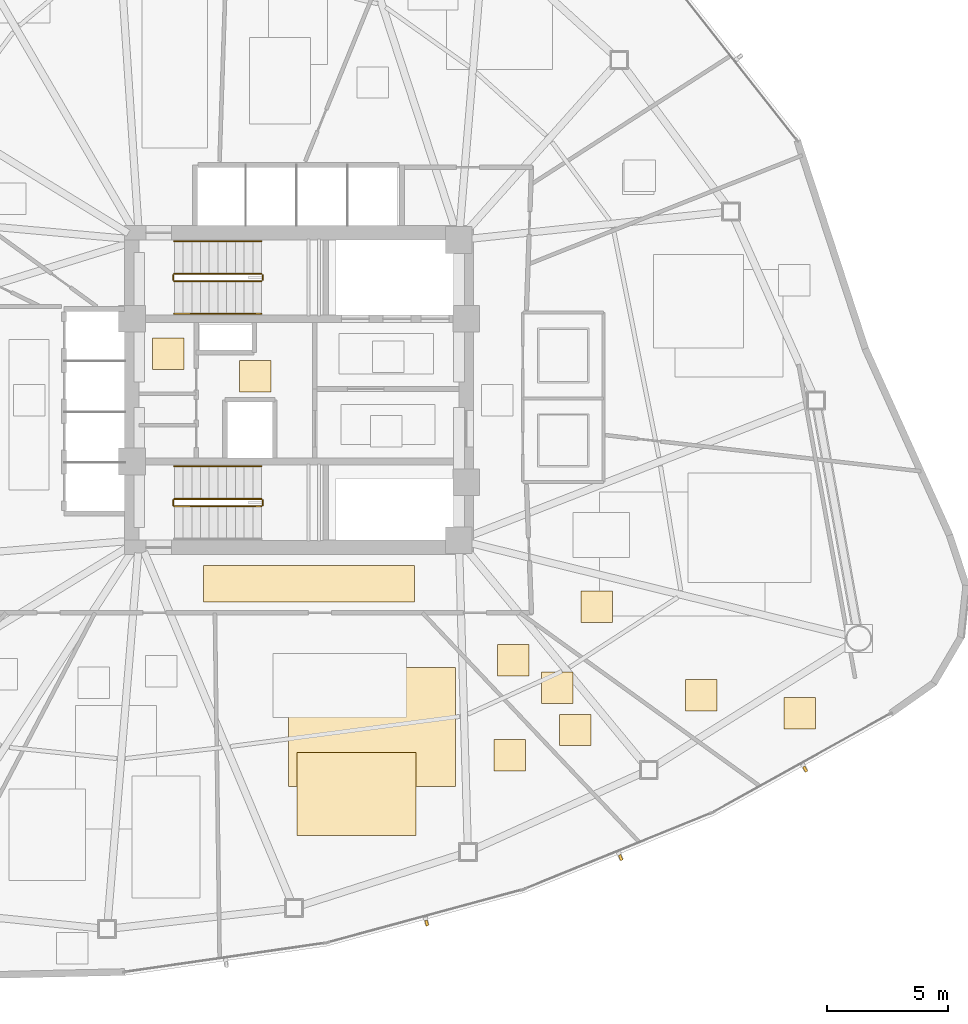
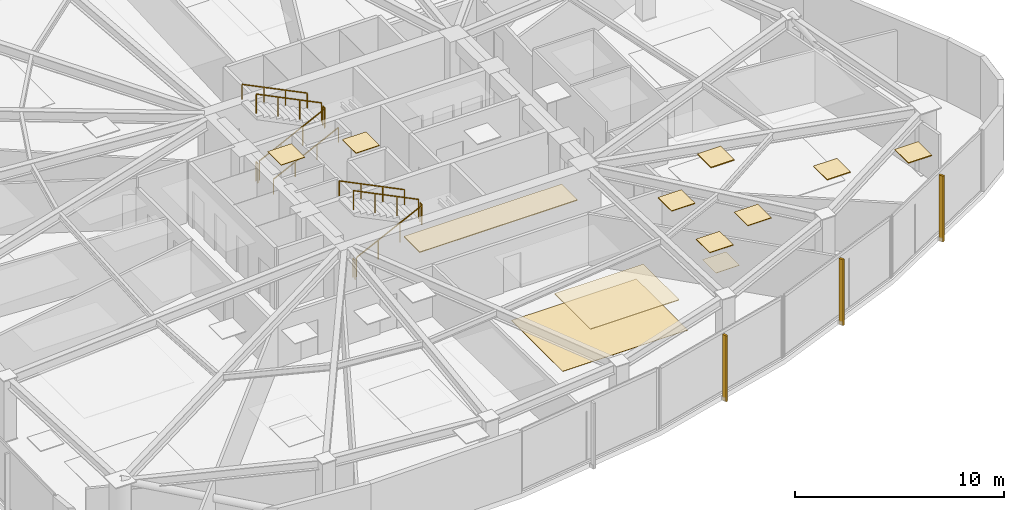
# One storey, part 15 of 17: 12 coverings, 11 railings, 3 shading devices.
"""IFC4 building model written with IfcOpenShell, lengths in metres."""

from ifc_helpers import new_model, si_unit, direction, frame, origin, origin_2d, place, context, subcontext, project, spatial, polyline, rectangle, outline, extrude, source, transform, mapped, material, layer, layer_set, type_object, type_shapes, element, save


model = new_model("IFC4")

# Units and contexts
model_context = context("Model", 3, precision=1e-05, world=origin(), true_north=direction((0.0, 1.0)))
body_context = subcontext(model_context, "Body", "Model", "MODEL_VIEW")
ifc_project = project(units=[si_unit("LENGTHUNIT", "METRE"), si_unit("AREAUNIT", "SQUARE_METRE"), si_unit("VOLUMEUNIT", "CUBIC_METRE"), si_unit("PLANEANGLEUNIT", "RADIAN"), si_unit("MASSUNIT", "GRAM", prefix="KILO")], contexts=[model_context])

# Site, building, storey
site_placement = place(None, origin())
site = spatial("IfcSite", under=ifc_project, at=site_placement, CompositionType="ELEMENT")
building_placement = place(site_placement, origin())
building = spatial("IfcBuilding", under=site, at=building_placement, Name="Tavelor Broadcast Tower", CompositionType="ELEMENT")
storey_placement = place(building_placement, frame((0.0, 0.0, 74.39990234375)))
storey = spatial("IfcBuildingStorey", under=building, at=storey_placement, Name="L17", CompositionType="ELEMENT", Elevation=74.39990234375)

# Covering
ifc_material_1 = material(Name="Copper-Bronze Anodized Aluminium", Category="aluminium")
ifc_layer_1 = layer(ifc_material_1, 0.044921875)
ifc_layer_set_1 = layer_set([ifc_layer_1], Name="Copper-Bronze Anodized Aluminium")
covering_type_1 = type_object("IfcCoveringType", Name="Anodised Bronze Linear Slatted Concourse Ceiling 45 mm", PredefinedType="CEILING", material=ifc_layer_set_1)
covering_1_placement = place(storey_placement, frame((0.0, 0.0, 3.55517578125)))
element("IfcCovering", 1, at=covering_1_placement, inside=storey, type_object=covering_type_1, Name="L17 Suspended Acoustic Ceiling 0690", PredefinedType="CEILING", context=body_context, shape_type="SweptSolid", body=[
    extrude(outline(polyline([(46.05078125, 36.23828125), (54.776611328125, 36.23828125), (54.776611328125, 37.76171875), (46.05078125, 37.76171875), (46.05078125, 36.23828125)])), origin(), (0.0, 0.0, 1.0), 0.044921875),
])

# Railings
ifc_material_2 = material(Name="Steel S355", Category="steel")
railing_type_1 = type_object("IfcRailingType", Name="Continuous Brushed Stainless Handrail 900 mm", PredefinedType="HANDRAIL", material=ifc_material_2)
railing_1_placement = place(storey_placement, frame((44.85009765625, 48.14990234375, 0.177490234375)))
element("IfcRailing", 2, at=railing_1_placement, inside=storey, type_object=railing_type_1, Name="L17 ST1 stair handrail 1", PredefinedType="HANDRAIL", context=body_context, shape_type="SweptSolid", body=[
    extrude(rectangle(XDim=0.048095703125, YDim=0.048095703125, at=origin_2d()), frame((0.0, 0.0, 0.8759765625), z_axis=(0.897124305991, 0.0, 0.441778201817), x_axis=(0.0, 1.0, 0.0)), (0.0, 0.0, 1.0), 4.0126953125),
    extrude(rectangle(XDim=0.0419921875, YDim=0.0419921875, at=origin_2d()), origin(), (0.0, 0.0, 1.0), 0.851806640625),
    extrude(rectangle(XDim=0.0419921875, YDim=0.0419921875, at=origin_2d()), frame((1.199951171875, 0.0, 0.5908203125)), (0.0, 0.0, 1.0), 0.851806640625),
    extrude(rectangle(XDim=0.0419921875, YDim=0.0419921875, at=origin_2d()), frame((2.39990234375, 0.0, 1.181884765625)), (0.0, 0.0, 1.0), 0.851806640625),
    extrude(rectangle(XDim=0.0419921875, YDim=0.0419921875, at=origin_2d()), frame((3.599853515625, 0.0, 1.772705078125)), (0.0, 0.0, 1.0), 0.851806640625),
])
for number, where, name in (
    (3, (48.449951171875, 51.14990234375, 2.12744140625), "L17 ST1 stair handrail 2"),
    (4, (48.449951171875, 41.85009765625, 2.12744140625), "L17 ST2 stair handrail 2"),
):
    element("IfcRailing", number, at=place(storey_placement, frame(where)), inside=storey, type_object=railing_type_1, Name=name, PredefinedType="HANDRAIL", context=body_context, shape_type="SweptSolid", body=[
        extrude(rectangle(XDim=0.048095703125, YDim=0.048095703125, at=origin_2d()), frame((0.0, 0.0, 0.8759765625), z_axis=(-0.897124305991, 0.0, 0.441778201817), x_axis=(0.0, -1.0, 0.0)), (0.0, 0.0, 1.0), 4.0126953125),
        extrude(rectangle(XDim=0.0419921875, YDim=0.0419921875, at=origin_2d()), origin(), (0.0, 0.0, 1.0), 0.851806640625),
        extrude(rectangle(XDim=0.0419921875, YDim=0.0419921875, at=origin_2d()), frame((-1.199951171875, 0.0, 0.5908203125)), (0.0, 0.0, 1.0), 0.851806640625),
        extrude(rectangle(XDim=0.0419921875, YDim=0.0419921875, at=origin_2d()), frame((-2.39990234375, 0.0, 1.181884765625)), (0.0, 0.0, 1.0), 0.851806640625),
        extrude(rectangle(XDim=0.0419921875, YDim=0.0419921875, at=origin_2d()), frame((-3.599853515625, 0.0, 1.772705078125)), (0.0, 0.0, 1.0), 0.851806640625),
    ])

# Coverings
ifc_material_3 = material(Name="Acoustic Nylon Carpet Tile")
ifc_layer_2 = layer(ifc_material_3, 0.02001953125)
ifc_layer_set_2 = layer_set([ifc_layer_2], Name="Acoustic Nylon Carpet Tile")
covering_type_2 = type_object("IfcCoveringType", Name="Heavy-Duty Acoustic Broadcast Carpet Tile 20 mm", PredefinedType="FLOORING", material=ifc_layer_set_2)
covering_2_placement = place(storey_placement, origin())
element("IfcCovering", 5, at=covering_2_placement, inside=storey, type_object=covering_type_2, Name="L17 Broadcast Floor Finish 0241", PredefinedType="FLOORING", context=body_context, shape_type="SweptSolid", body=[
    extrude(outline(polyline([(60.01025390625, 32.06005859375), (61.310302734375, 32.06005859375), (61.310302734375, 33.360107421875), (60.01025390625, 33.360107421875), (60.01025390625, 32.06005859375)])), origin(), (0.0, 0.0, 1.0), 0.02001953125),
])
covering_3_placement = place(storey_placement, origin())
element("IfcCovering", 6, at=covering_3_placement, inside=storey, type_object=covering_type_2, Name="L17 Broadcast Floor Finish 0242", PredefinedType="FLOORING", context=body_context, shape_type="SweptSolid", body=[
    extrude(outline(polyline([(49.560546875, 28.62890625), (56.46630859375, 28.62890625), (56.46630859375, 33.54248046875), (49.560546875, 33.54248046875), (49.560546875, 28.62890625)])), origin(), (0.0, 0.0, 1.0), 0.02001953125),
])
ifc_material_4 = material(Name="Acoustic Perforated Timber Baffle", Category="wood")
ifc_layer_3 = layer(ifc_material_4, 0.054931640625)
ifc_layer_set_3 = layer_set([ifc_layer_3], Name="Acoustic Perforated Timber Baffle")
covering_type_3 = type_object("IfcCoveringType", Name="Micro-Perforated Acoustic Baffle Studio Ceiling 55 mm", PredefinedType="CEILING", material=ifc_layer_set_3)
covering_4_placement = place(storey_placement, frame((0.0, 0.0, 3.545166015625)))
element("IfcCovering", 7, at=covering_4_placement, inside=storey, type_object=covering_type_3, Name="L17 Suspended Acoustic Ceiling 0730", PredefinedType="CEILING", context=body_context, shape_type="SweptSolid", body=[
    extrude(outline(polyline([(65.956787109375, 31.7373046875), (67.256591796875, 31.7373046875), (67.256591796875, 33.037353515625), (65.956787109375, 33.037353515625), (65.956787109375, 31.7373046875)])), origin(), (0.0, 0.0, 1.0), 0.054931640625),
])
covering_5_placement = place(storey_placement, frame((0.0, 0.0, 3.545166015625)))
element("IfcCovering", 8, at=covering_5_placement, inside=storey, type_object=covering_type_3, Name="L17 Suspended Acoustic Ceiling 0731", PredefinedType="CEILING", context=body_context, shape_type="SweptSolid", body=[
    extrude(outline(polyline([(70.023193359375, 31.001953125), (71.3232421875, 31.001953125), (71.3232421875, 32.302001953125), (70.023193359375, 32.302001953125), (70.023193359375, 31.001953125)])), origin(), (0.0, 0.0, 1.0), 0.054931640625),
])
covering_6_placement = place(storey_placement, frame((0.0, 0.0, 3.545166015625)))
element("IfcCovering", 9, at=covering_6_placement, inside=storey, type_object=covering_type_3, Name="L17 Suspended Acoustic Ceiling 0732", PredefinedType="CEILING", context=body_context, shape_type="SweptSolid", body=[
    extrude(outline(polyline([(61.6533203125, 35.400146484375), (62.953369140625, 35.400146484375), (62.953369140625, 36.7001953125), (61.6533203125, 36.7001953125), (61.6533203125, 35.400146484375)])), origin(), (0.0, 0.0, 1.0), 0.054931640625),
])
ifc_material_5 = material(Name="Architectural Anodized Aluminium", Category="aluminium")
ifc_layer_4 = layer(ifc_material_5, 0.030029296875)
ifc_layer_set_4 = layer_set([ifc_layer_4], Name="Architectural Anodized Aluminium")
covering_type_4 = type_object("IfcCoveringType", Name="Moisture-Resistant Washroom Ceiling 30 mm", PredefinedType="CEILING", material=ifc_layer_set_4)
covering_7_placement = place(storey_placement, frame((0.0, 0.0, 3.570068359375)))
element("IfcCovering", 10, at=covering_7_placement, inside=storey, type_object=covering_type_4, Name="L17 Suspended Acoustic Ceiling 0688", PredefinedType="CEILING", context=body_context, shape_type="SweptSolid", body=[
    extrude(outline(polyline([(43.951416015625, 45.843017578125), (45.25146484375, 45.843017578125), (45.25146484375, 47.14306640625), (43.951416015625, 47.14306640625), (43.951416015625, 45.843017578125)])), origin(), (0.0, 0.0, 1.0), 0.030029296875),
])

# Railings
railing_type_2 = type_object("IfcRailingType", Name="Stairwell Steel Safety Guardrail 1150 mm", PredefinedType="GUARDRAIL", material=ifc_material_2)
railing_2_placement = place(storey_placement, frame((44.85009765625, 49.5, 0.177490234375)))
element("IfcRailing", 11, at=railing_2_placement, inside=storey, type_object=railing_type_2, Name="L17 ST1 stair guard 1", PredefinedType="GUARDRAIL", context=body_context, shape_type="SweptSolid", body=[
    extrude(rectangle(XDim=0.048095703125, YDim=0.048095703125, at=origin_2d()), frame((0.0, 0.0, 1.1259765625), z_axis=(0.897124305991, 0.0, 0.441778201817), x_axis=(0.0, 1.0, 0.0)), (0.0, 0.0, 1.0), 4.0126953125),
    extrude(rectangle(XDim=0.0419921875, YDim=0.0419921875, at=origin_2d()), origin(), (0.0, 0.0, 1.0), 1.101806640625),
    extrude(rectangle(XDim=0.0419921875, YDim=0.0419921875, at=origin_2d()), frame((1.199951171875, 0.0, 0.5908203125)), (0.0, 0.0, 1.0), 1.101806640625),
    extrude(rectangle(XDim=0.0419921875, YDim=0.0419921875, at=origin_2d()), frame((2.39990234375, 0.0, 1.181884765625)), (0.0, 0.0, 1.0), 1.101806640625),
    extrude(rectangle(XDim=0.0419921875, YDim=0.0419921875, at=origin_2d()), frame((3.599853515625, 0.0, 1.772705078125)), (0.0, 0.0, 1.0), 1.101806640625),
])
railing_3_placement = place(storey_placement, frame((48.5, 49.550048828125, 1.9501953125)))
element("IfcRailing", 12, at=railing_3_placement, inside=storey, type_object=railing_type_2, Name="L17 ST1 stair guard 2", PredefinedType="GUARDRAIL", context=body_context, shape_type="SweptSolid", body=[
    extrude(rectangle(XDim=0.048095703125, YDim=0.048095703125, at=origin_2d()), frame((0.0, 0.0, 1.1259765625), z_axis=(0.0, 1.0, 0.0), x_axis=(-1.0, 0.0, 0.0)), (0.0, 0.0, 1.0), 0.199951171875),
    extrude(rectangle(XDim=0.0419921875, YDim=0.0419921875, at=origin_2d()), origin(), (0.0, 0.0, 1.0), 1.101806640625),
    extrude(rectangle(XDim=0.0419921875, YDim=0.0419921875, at=origin_2d()), frame((0.0, 0.199951171875, 0.0)), (0.0, 0.0, 1.0), 1.101806640625),
])
railing_4_placement = place(storey_placement, frame((48.449951171875, 49.800048828125, 2.12744140625)))
element("IfcRailing", 13, at=railing_4_placement, inside=storey, type_object=railing_type_2, Name="L17 ST1 stair guard 3", PredefinedType="GUARDRAIL", context=body_context, shape_type="SweptSolid", body=[
    extrude(rectangle(XDim=0.048095703125, YDim=0.048095703125, at=origin_2d()), frame((0.0, 0.0, 1.1259765625), z_axis=(-0.897124305991, 0.0, 0.441778201817), x_axis=(0.0, -1.0, 0.0)), (0.0, 0.0, 1.0), 4.0126953125),
    extrude(rectangle(XDim=0.0419921875, YDim=0.0419921875, at=origin_2d()), origin(), (0.0, 0.0, 1.0), 1.101806640625),
    extrude(rectangle(XDim=0.0419921875, YDim=0.0419921875, at=origin_2d()), frame((-1.199951171875, 0.0, 0.5908203125)), (0.0, 0.0, 1.0), 1.101806640625),
    extrude(rectangle(XDim=0.0419921875, YDim=0.0419921875, at=origin_2d()), frame((-2.39990234375, 0.0, 1.181884765625)), (0.0, 0.0, 1.0), 1.101806640625),
    extrude(rectangle(XDim=0.0419921875, YDim=0.0419921875, at=origin_2d()), frame((-3.599853515625, 0.0, 1.772705078125)), (0.0, 0.0, 1.0), 1.101806640625),
])
railing_5_placement = place(storey_placement, frame((44.800048828125, 49.550048828125, 0.0)))
element("IfcRailing", 14, at=railing_5_placement, inside=storey, type_object=railing_type_2, Name="L17 ST1 stair guard 4", PredefinedType="GUARDRAIL", context=body_context, shape_type="SweptSolid", body=[
    extrude(rectangle(XDim=0.048095703125, YDim=0.048095703125, at=origin_2d()), frame((0.0, 0.0, 1.1259765625), z_axis=(0.0, 1.0, 0.0), x_axis=(-1.0, 0.0, 0.0)), (0.0, 0.0, 1.0), 0.199951171875),
    extrude(rectangle(XDim=0.0419921875, YDim=0.0419921875, at=origin_2d()), origin(), (0.0, 0.0, 1.0), 1.101806640625),
    extrude(rectangle(XDim=0.0419921875, YDim=0.0419921875, at=origin_2d()), frame((0.0, 0.199951171875, 0.0)), (0.0, 0.0, 1.0), 1.101806640625),
])
railing_6_placement = place(storey_placement, frame((44.85009765625, 40.199951171875, 0.177490234375)))
element("IfcRailing", 15, at=railing_6_placement, inside=storey, type_object=railing_type_2, Name="L17 ST2 stair guard 1", PredefinedType="GUARDRAIL", context=body_context, shape_type="SweptSolid", body=[
    extrude(rectangle(XDim=0.048095703125, YDim=0.048095703125, at=origin_2d()), frame((0.0, 0.0, 1.1259765625), z_axis=(0.897124305991, 0.0, 0.441778201817), x_axis=(0.0, 1.0, 0.0)), (0.0, 0.0, 1.0), 4.0126953125),
    extrude(rectangle(XDim=0.0419921875, YDim=0.0419921875, at=origin_2d()), origin(), (0.0, 0.0, 1.0), 1.101806640625),
    extrude(rectangle(XDim=0.0419921875, YDim=0.0419921875, at=origin_2d()), frame((1.199951171875, 0.0, 0.5908203125)), (0.0, 0.0, 1.0), 1.101806640625),
    extrude(rectangle(XDim=0.0419921875, YDim=0.0419921875, at=origin_2d()), frame((2.39990234375, 0.0, 1.181884765625)), (0.0, 0.0, 1.0), 1.101806640625),
    extrude(rectangle(XDim=0.0419921875, YDim=0.0419921875, at=origin_2d()), frame((3.599853515625, 0.0, 1.772705078125)), (0.0, 0.0, 1.0), 1.101806640625),
])
railing_7_placement = place(storey_placement, frame((48.5, 40.25, 1.9501953125)))
element("IfcRailing", 16, at=railing_7_placement, inside=storey, type_object=railing_type_2, Name="L17 ST2 stair guard 2", PredefinedType="GUARDRAIL", context=body_context, shape_type="SweptSolid", body=[
    extrude(rectangle(XDim=0.048095703125, YDim=0.048095703125, at=origin_2d()), frame((0.0, 0.0, 1.1259765625), z_axis=(0.0, 1.0, 0.0), x_axis=(-1.0, 0.0, 0.0)), (0.0, 0.0, 1.0), 0.199951171875),
    extrude(rectangle(XDim=0.0419921875, YDim=0.0419921875, at=origin_2d()), origin(), (0.0, 0.0, 1.0), 1.101806640625),
    extrude(rectangle(XDim=0.0419921875, YDim=0.0419921875, at=origin_2d()), frame((0.0, 0.199951171875, 0.0)), (0.0, 0.0, 1.0), 1.101806640625),
])
railing_8_placement = place(storey_placement, frame((48.449951171875, 40.5, 2.12744140625)))
element("IfcRailing", 17, at=railing_8_placement, inside=storey, type_object=railing_type_2, Name="L17 ST2 stair guard 3", PredefinedType="GUARDRAIL", context=body_context, shape_type="SweptSolid", body=[
    extrude(rectangle(XDim=0.048095703125, YDim=0.048095703125, at=origin_2d()), frame((0.0, 0.0, 1.1259765625), z_axis=(-0.897124305991, 0.0, 0.441778201817), x_axis=(0.0, -1.0, 0.0)), (0.0, 0.0, 1.0), 4.0126953125),
    extrude(rectangle(XDim=0.0419921875, YDim=0.0419921875, at=origin_2d()), origin(), (0.0, 0.0, 1.0), 1.101806640625),
    extrude(rectangle(XDim=0.0419921875, YDim=0.0419921875, at=origin_2d()), frame((-1.199951171875, 0.0, 0.5908203125)), (0.0, 0.0, 1.0), 1.101806640625),
    extrude(rectangle(XDim=0.0419921875, YDim=0.0419921875, at=origin_2d()), frame((-2.39990234375, 0.0, 1.181884765625)), (0.0, 0.0, 1.0), 1.101806640625),
    extrude(rectangle(XDim=0.0419921875, YDim=0.0419921875, at=origin_2d()), frame((-3.599853515625, 0.0, 1.772705078125)), (0.0, 0.0, 1.0), 1.101806640625),
])
railing_9_placement = place(storey_placement, frame((44.800048828125, 40.25, 0.0)))
element("IfcRailing", 18, at=railing_9_placement, inside=storey, type_object=railing_type_2, Name="L17 ST2 stair guard 4", PredefinedType="GUARDRAIL", context=body_context, shape_type="SweptSolid", body=[
    extrude(rectangle(XDim=0.048095703125, YDim=0.048095703125, at=origin_2d()), frame((0.0, 0.0, 1.1259765625), z_axis=(0.0, 1.0, 0.0), x_axis=(-1.0, 0.0, 0.0)), (0.0, 0.0, 1.0), 0.199951171875),
    extrude(rectangle(XDim=0.0419921875, YDim=0.0419921875, at=origin_2d()), origin(), (0.0, 0.0, 1.0), 1.101806640625),
    extrude(rectangle(XDim=0.0419921875, YDim=0.0419921875, at=origin_2d()), frame((0.0, 0.199951171875, 0.0)), (0.0, 0.0, 1.0), 1.101806640625),
])

# Coverings
ifc_material_6 = material(Name="Acoustic Mineral Fibre Tile")
ifc_layer_5 = layer(ifc_material_6, 0.0400390625)
ifc_layer_set_5 = layer_set([ifc_layer_5], Name="Acoustic Mineral Fibre Tile")
covering_type_5 = type_object("IfcCoveringType", Name="Suspended Acoustic Mineral-Fibre Office Ceiling 40 mm", PredefinedType="CEILING", material=ifc_layer_set_5)
covering_8_placement = place(storey_placement, frame((0.0, 0.0, 3.56005859375)))
element("IfcCovering", 19, at=covering_8_placement, inside=storey, type_object=covering_type_5, Name="L17 Suspended Acoustic Ceiling 0687", PredefinedType="CEILING", context=body_context, shape_type="SweptSolid", body=[
    extrude(outline(polyline([(47.544921875, 44.919921875), (48.844970703125, 44.919921875), (48.844970703125, 46.219970703125), (47.544921875, 46.219970703125), (47.544921875, 44.919921875)])), origin(), (0.0, 0.0, 1.0), 0.0400390625),
])
covering_9_placement = place(storey_placement, frame((0.0, 0.0, 3.56005859375)))
element("IfcCovering", 20, at=covering_9_placement, inside=storey, type_object=covering_type_5, Name="L17 Suspended Acoustic Ceiling 0694", PredefinedType="CEILING", context=body_context, shape_type="SweptSolid", body=[
    extrude(outline(polyline([(60.754150390625, 30.3115234375), (62.05419921875, 30.3115234375), (62.05419921875, 31.611572265625), (60.754150390625, 31.611572265625), (60.754150390625, 30.3115234375)])), origin(), (0.0, 0.0, 1.0), 0.0400390625),
])
covering_10_placement = place(storey_placement, frame((0.0, 0.0, 3.56005859375)))
element("IfcCovering", 21, at=covering_10_placement, inside=storey, type_object=covering_type_5, Name="L17 Suspended Acoustic Ceiling 0695", PredefinedType="CEILING", context=body_context, shape_type="SweptSolid", body=[
    extrude(outline(polyline([(58.20654296875, 33.186279296875), (59.506591796875, 33.186279296875), (59.506591796875, 34.486083984375), (58.20654296875, 34.486083984375), (58.20654296875, 33.186279296875)])), origin(), (0.0, 0.0, 1.0), 0.0400390625),
])
covering_11_placement = place(storey_placement, frame((0.0, 0.0, 3.56005859375)))
element("IfcCovering", 22, at=covering_11_placement, inside=storey, type_object=covering_type_5, Name="L17 Suspended Acoustic Ceiling 0697", PredefinedType="CEILING", context=body_context, shape_type="SweptSolid", body=[
    extrude(outline(polyline([(58.0517578125, 29.266845703125), (59.351806640625, 29.266845703125), (59.351806640625, 30.56689453125), (58.0517578125, 30.56689453125), (58.0517578125, 29.266845703125)])), origin(), (0.0, 0.0, 1.0), 0.0400390625),
])
covering_12_placement = place(storey_placement, frame((0.0, 0.0, 3.56005859375)))
element("IfcCovering", 23, at=covering_12_placement, inside=storey, type_object=covering_type_5, Name="L17 Suspended Acoustic Ceiling 0698", PredefinedType="CEILING", context=body_context, shape_type="SweptSolid", body=[
    extrude(outline(polyline([(49.914794921875, 26.596435546875), (54.821533203125, 26.596435546875), (54.821533203125, 30.024169921875), (49.914794921875, 30.024169921875), (49.914794921875, 26.596435546875)])), origin(), (0.0, 0.0, 1.0), 0.0400390625),
])

# Shading devices
ifc_material_7 = material(Name="Kiln-Fired Glazed Terracotta", Category="masonry")
shading_device_type = type_object("IfcShadingDeviceType", Name="Extruded Terracotta Baguette Sun-Screen 110x240", PredefinedType="JALOUSIE", material=ifc_material_7)
shared_shape = source(origin(), body_context, "Body", "SweptSolid", [
    extrude(rectangle(XDim=0.110107421875, YDim=0.239990234375, at=origin_2d()), origin(), (0.0, 0.0, 1.0), 3.840087890625),
])
type_shapes(shading_device_type, [shared_shape])
for number, where, z_axis, x_axis, name in (
    (24, (55.27490234375, 22.985595703125, -0.259765625), (0.0, 0.0, 1.0), (0.965107956967, 0.261852308371, 0.0), "L17 Terracotta Baguette Fin 162"),
    (25, (63.28369140625, 25.688720703125, -0.259765625), (0.0, 0.0, 1.0), (0.926331513311, 0.376709340802, 0.0), "L17 Terracotta Baguette Fin 163"),
    (26, (70.90625, 29.34130859375, -0.259765625), (0.0, 0.0, 1.0), (0.873941932872, 0.486030346756, 0.0), "L17 Terracotta Baguette Fin 164"),
):
    element("IfcShadingDevice", number, at=place(storey_placement, frame(where, z_axis=z_axis, x_axis=x_axis)), inside=storey, type_object=shading_device_type, Name=name, PredefinedType="JALOUSIE", context=body_context, shape_type="MappedRepresentation", body=[
        mapped(shared_shape, transform((0.0, 0.0, 0.0), scale=1.0)),
    ])

save(model, "model.ifc")
